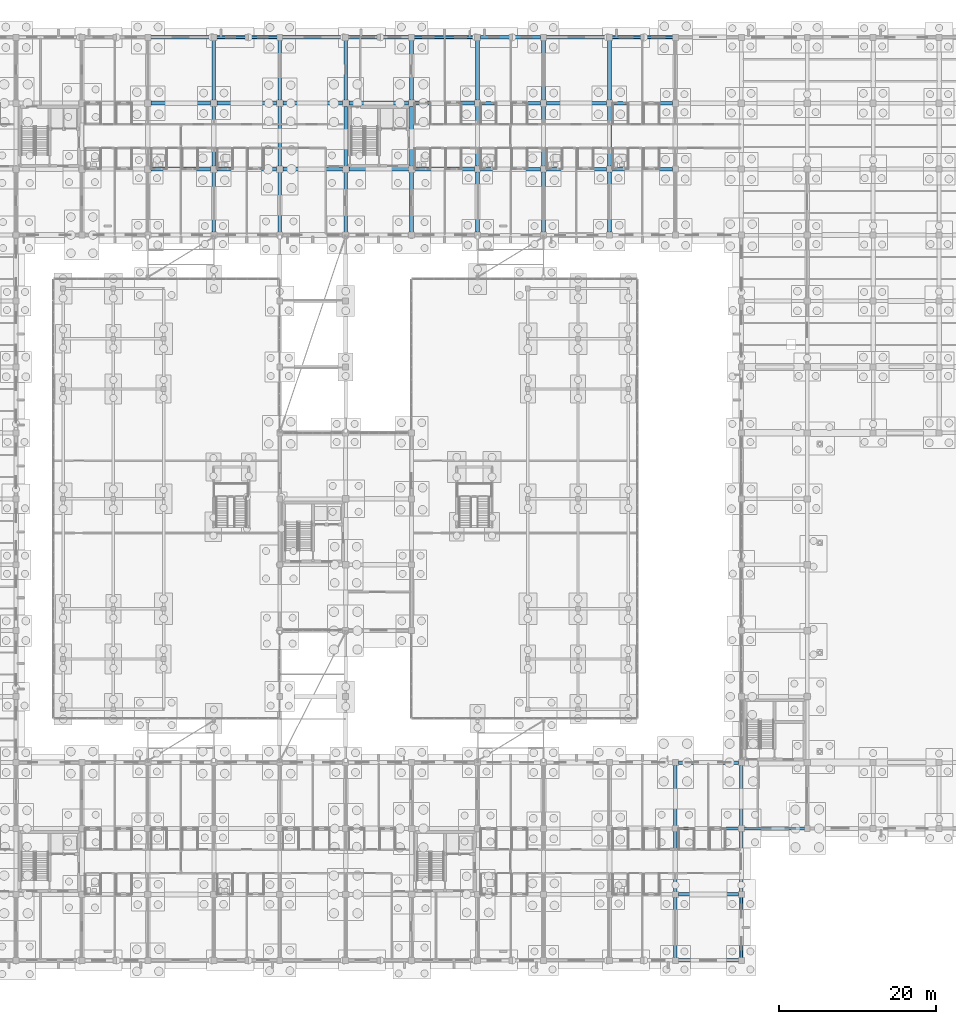
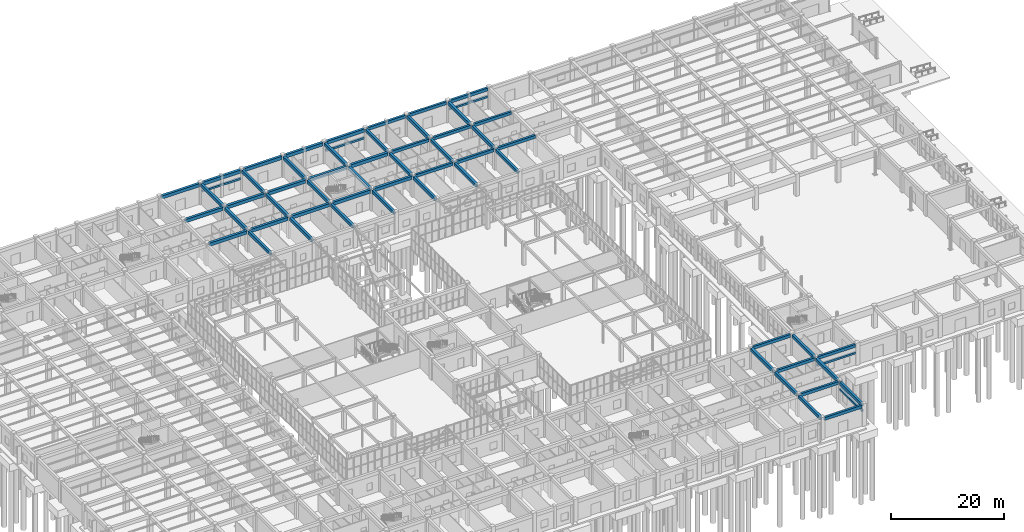
# One storey, part 121 of 192: 61 beams.
"""IFC4 building model written with IfcOpenShell, lengths in metres."""

from ifc_helpers import new_model, si_unit, direction, frame, origin, origin_2d, place, context, subcontext, project, spatial, rectangle, extrude, material, material_profile, profile_set, type_object, element, save


model = new_model("IFC4")

# Units and contexts
model_context = context("Model", 3, precision=1e-05, world=origin(), true_north=direction((0.0, 1.0)))
body_context = subcontext(model_context, "Body", "Model", "MODEL_VIEW")
ifc_project = project(units=[si_unit("LENGTHUNIT", "METRE"), si_unit("AREAUNIT", "SQUARE_METRE"), si_unit("VOLUMEUNIT", "CUBIC_METRE"), si_unit("PLANEANGLEUNIT", "RADIAN"), si_unit("MASSUNIT", "GRAM", prefix="KILO")], contexts=[model_context])

# Site, building, storey
site_placement = place(None, origin())
site = spatial("IfcSite", under=ifc_project, at=site_placement, CompositionType="ELEMENT")
building_placement = place(site_placement, origin())
building = spatial("IfcBuilding", under=site, at=building_placement, Name="Trelvath General Hospital", CompositionType="ELEMENT")
storey_placement = place(building_placement, origin())
storey = spatial("IfcBuildingStorey", under=building, at=storey_placement, Name="L00", CompositionType="ELEMENT", Elevation=0.0)

# Beams
ifc_material_1 = material(Name="Concrete C35/45", Category="concrete")
ifc_material_profile_1 = material_profile(ifc_material_1, rectangle(XDim=0.43994140625, YDim=0.639892578125, at=origin_2d()), Name="RCB440x640")
ifc_profile_set_1 = profile_set([ifc_material_profile_1], Name="Concrete C35/45")
beam_type_1 = type_object("IfcBeamType", Name="Beam RC440x640", PredefinedType="BEAM", material=ifc_profile_set_1)
for number, where, z_axis, x_axis, name in (
    (1, (101.18505859375, 100.800048828125, 4.199951171875), (1.0, 0.0, 0.0), (0.0, 1.0, 0.0), "Grid Beam BX-012M"),
    (2, (101.18505859375, 109.199951171875, 4.199951171875), (1.0, 0.0, 0.0), (0.0, 1.0, 0.0), "Grid Beam BX-012N"),
):
    element("IfcBeam", number, at=place(storey_placement, frame(where, z_axis=z_axis, x_axis=x_axis)), inside=storey, type_object=beam_type_1, Name=name, PredefinedType="BEAM", context=body_context, shape_type="SweptSolid", body=[
        extrude(rectangle(XDim=0.43994140625, YDim=0.639892578125, at=origin_2d()), origin(), (0.0, 0.0, 1.0), 7.6298828125),
    ])
beam_1_placement = place(storey_placement, frame((101.175048828125, 117.60009765625, 4.199951171875), z_axis=(1.0, 0.0, 0.0), x_axis=(0.0, 1.0, 0.0)))
element("IfcBeam", 3, at=beam_1_placement, inside=storey, type_object=beam_type_1, Name="Grid Beam BX-012O", PredefinedType="BEAM", context=body_context, shape_type="SweptSolid", body=[
    extrude(rectangle(XDim=0.43994140625, YDim=0.639892578125, at=origin_2d()), origin(), (0.0, 0.0, 1.0), 7.64990234375),
])
for number, where, z_axis, x_axis, name in (
    (4, (109.5849609375, 100.800048828125, 4.199951171875), (1.0, 0.0, 0.0), (0.0, 1.0, 0.0), "Grid Beam BX-013M"),
    (5, (109.5849609375, 109.199951171875, 4.199951171875), (1.0, 0.0, 0.0), (0.0, 1.0, 0.0), "Grid Beam BX-013N"),
):
    element("IfcBeam", number, at=place(storey_placement, frame(where, z_axis=z_axis, x_axis=x_axis)), inside=storey, type_object=beam_type_1, Name=name, PredefinedType="BEAM", context=body_context, shape_type="SweptSolid", body=[
        extrude(rectangle(XDim=0.43994140625, YDim=0.639892578125, at=origin_2d()), origin(), (0.0, 0.0, 1.0), 7.630126953125),
    ])
beam_2_placement = place(storey_placement, frame((109.574951171875, 117.60009765625, 4.199951171875), z_axis=(1.0, 0.0, 0.0), x_axis=(0.0, 1.0, 0.0)))
element("IfcBeam", 6, at=beam_2_placement, inside=storey, type_object=beam_type_1, Name="Grid Beam BX-013O", PredefinedType="BEAM", context=body_context, shape_type="SweptSolid", body=[
    extrude(rectangle(XDim=0.43994140625, YDim=0.639892578125, at=origin_2d()), origin(), (0.0, 0.0, 1.0), 7.650146484375),
])
for number, where, z_axis, x_axis, name in (
    (7, (117.985107421875, 100.800048828125, 4.199951171875), (1.0, 0.0, 0.0), (0.0, 1.0, 0.0), "Grid Beam BX-014M"),
    (8, (117.985107421875, 109.199951171875, 4.199951171875), (1.0, 0.0, 0.0), (0.0, 1.0, 0.0), "Grid Beam BX-014N"),
):
    element("IfcBeam", number, at=place(storey_placement, frame(where, z_axis=z_axis, x_axis=x_axis)), inside=storey, type_object=beam_type_1, Name=name, PredefinedType="BEAM", context=body_context, shape_type="SweptSolid", body=[
        extrude(rectangle(XDim=0.43994140625, YDim=0.639892578125, at=origin_2d()), origin(), (0.0, 0.0, 1.0), 7.6298828125),
    ])
for number, where, z_axis, x_axis, name in (
    (9, (117.97509765625, 117.60009765625, 4.199951171875), (1.0, 0.0, 0.0), (0.0, 1.0, 0.0), "Grid Beam BX-014O"),
    (10, (126.375, 0.0, 4.199951171875), (1.0, 0.0, 0.0), (0.0, 1.0, 0.0), "Grid Beam BX-015A"),
):
    element("IfcBeam", number, at=place(storey_placement, frame(where, z_axis=z_axis, x_axis=x_axis)), inside=storey, type_object=beam_type_1, Name=name, PredefinedType="BEAM", context=body_context, shape_type="SweptSolid", body=[
        extrude(rectangle(XDim=0.43994140625, YDim=0.639892578125, at=origin_2d()), origin(), (0.0, 0.0, 1.0), 7.64990234375),
    ])
for number, where, z_axis, x_axis, name in (
    (11, (126.385009765625, 8.39990234375, 4.199951171875), (1.0, 0.0, 0.0), (0.0, 1.0, 0.0), "Grid Beam BX-015B"),
    (12, (126.385009765625, 16.800048828125, 4.199951171875), (1.0, 0.0, 0.0), (0.0, 1.0, 0.0), "Grid Beam BX-015C"),
):
    element("IfcBeam", number, at=place(storey_placement, frame(where, z_axis=z_axis, x_axis=x_axis)), inside=storey, type_object=beam_type_1, Name=name, PredefinedType="BEAM", context=body_context, shape_type="SweptSolid", body=[
        extrude(rectangle(XDim=0.43994140625, YDim=0.639892578125, at=origin_2d()), origin(), (0.0, 0.0, 1.0), 7.639892578125),
    ])
beam_3_placement = place(storey_placement, frame((126.375, 25.199951171875, 4.199951171875), z_axis=(1.0, 0.0, 0.0), x_axis=(0.0, 1.0, 0.0)))
element("IfcBeam", 13, at=beam_3_placement, inside=storey, type_object=beam_type_1, Name="Grid Beam BX-015D", PredefinedType="BEAM", context=body_context, shape_type="SweptSolid", body=[
    extrude(rectangle(XDim=0.43994140625, YDim=0.639892578125, at=origin_2d()), origin(), (0.0, 0.0, 1.0), 7.64990234375),
])
beam_4_placement = place(storey_placement, frame((134.77490234375, 16.800048828125, 4.199951171875), z_axis=(1.0, 0.0, 0.0), x_axis=(0.0, 1.0, 0.0)))
element("IfcBeam", 14, at=beam_4_placement, inside=storey, type_object=beam_type_1, Name="Grid Beam BX-016C", PredefinedType="BEAM", context=body_context, shape_type="SweptSolid", body=[
    extrude(rectangle(XDim=0.43994140625, YDim=0.639892578125, at=origin_2d()), origin(), (0.0, 0.0, 1.0), 7.650146484375),
])
ifc_material_2 = material(Name="Concrete C35/45", Category="concrete")
ifc_material_profile_2 = material_profile(ifc_material_2, rectangle(XDim=0.47998046875, YDim=0.679931640625, at=origin_2d()), Name="RCB480x680")
ifc_profile_set_2 = profile_set([ifc_material_profile_2], Name="Concrete C35/45")
beam_type_2 = type_object("IfcBeamType", Name="Beam RC480x680", PredefinedType="BEAM", material=ifc_profile_set_2)
beam_5_placement = place(storey_placement, frame((67.199951171875, 92.77490234375, 4.179931640625), z_axis=(0.0, 1.0, 0.0), x_axis=(-1.0, 0.0, 0.0)))
element("IfcBeam", 15, at=beam_5_placement, inside=storey, type_object=beam_type_2, Name="Grid Beam BY-008L", PredefinedType="BEAM", context=body_context, shape_type="SweptSolid", body=[
    extrude(rectangle(XDim=0.47998046875, YDim=0.679931640625, at=origin_2d()), origin(), (0.0, 0.0, 1.0), 7.630126953125),
])
beam_6_placement = place(storey_placement, frame((67.199951171875, 101.195068359375, 4.179931640625), z_axis=(0.0, 1.0, 0.0), x_axis=(-1.0, 0.0, 0.0)))
element("IfcBeam", 16, at=beam_6_placement, inside=storey, type_object=beam_type_2, Name="Grid Beam BY-008M", PredefinedType="BEAM", context=body_context, shape_type="SweptSolid", body=[
    extrude(rectangle(XDim=0.47998046875, YDim=0.679931640625, at=origin_2d()), origin(), (0.0, 0.0, 1.0), 7.60986328125),
])
for number, where, z_axis, x_axis, name in (
    (17, (67.199951171875, 109.594970703125, 4.179931640625), (0.0, 1.0, 0.0), (-1.0, 0.0, 0.0), "Grid Beam BY-008N"),
    (18, (75.60009765625, 92.77490234375, 4.179931640625), (0.0, 1.0, 0.0), (-1.0, 0.0, 0.0), "Grid Beam BY-009L"),
):
    element("IfcBeam", number, at=place(storey_placement, frame(where, z_axis=z_axis, x_axis=x_axis)), inside=storey, type_object=beam_type_2, Name=name, PredefinedType="BEAM", context=body_context, shape_type="SweptSolid", body=[
        extrude(rectangle(XDim=0.47998046875, YDim=0.679931640625, at=origin_2d()), origin(), (0.0, 0.0, 1.0), 7.630126953125),
    ])
beam_7_placement = place(storey_placement, frame((75.60009765625, 101.195068359375, 4.179931640625), z_axis=(0.0, 1.0, 0.0), x_axis=(-1.0, 0.0, 0.0)))
element("IfcBeam", 19, at=beam_7_placement, inside=storey, type_object=beam_type_2, Name="Grid Beam BY-009M", PredefinedType="BEAM", context=body_context, shape_type="SweptSolid", body=[
    extrude(rectangle(XDim=0.47998046875, YDim=0.679931640625, at=origin_2d()), origin(), (0.0, 0.0, 1.0), 7.60986328125),
])
for number, where, z_axis, x_axis, name in (
    (20, (75.60009765625, 109.594970703125, 4.179931640625), (0.0, 1.0, 0.0), (-1.0, 0.0, 0.0), "Grid Beam BY-009N"),
    (21, (84.0, 92.77490234375, 4.179931640625), (0.0, 1.0, 0.0), (-1.0, 0.0, 0.0), "Grid Beam BY-010L"),
):
    element("IfcBeam", number, at=place(storey_placement, frame(where, z_axis=z_axis, x_axis=x_axis)), inside=storey, type_object=beam_type_2, Name=name, PredefinedType="BEAM", context=body_context, shape_type="SweptSolid", body=[
        extrude(rectangle(XDim=0.47998046875, YDim=0.679931640625, at=origin_2d()), origin(), (0.0, 0.0, 1.0), 7.630126953125),
    ])
beam_8_placement = place(storey_placement, frame((84.0, 101.195068359375, 4.179931640625), z_axis=(0.0, 1.0, 0.0), x_axis=(-1.0, 0.0, 0.0)))
element("IfcBeam", 22, at=beam_8_placement, inside=storey, type_object=beam_type_2, Name="Grid Beam BY-010M", PredefinedType="BEAM", context=body_context, shape_type="SweptSolid", body=[
    extrude(rectangle(XDim=0.47998046875, YDim=0.679931640625, at=origin_2d()), origin(), (0.0, 0.0, 1.0), 7.60986328125),
])
for number, where, z_axis, x_axis, name in (
    (23, (84.0, 109.594970703125, 4.179931640625), (0.0, 1.0, 0.0), (-1.0, 0.0, 0.0), "Grid Beam BY-010N"),
    (24, (92.39990234375, 92.77490234375, 4.179931640625), (0.0, 1.0, 0.0), (-1.0, 0.0, 0.0), "Grid Beam BY-011L"),
):
    element("IfcBeam", number, at=place(storey_placement, frame(where, z_axis=z_axis, x_axis=x_axis)), inside=storey, type_object=beam_type_2, Name=name, PredefinedType="BEAM", context=body_context, shape_type="SweptSolid", body=[
        extrude(rectangle(XDim=0.47998046875, YDim=0.679931640625, at=origin_2d()), origin(), (0.0, 0.0, 1.0), 7.630126953125),
    ])
beam_9_placement = place(storey_placement, frame((92.39990234375, 101.195068359375, 4.179931640625), z_axis=(0.0, 1.0, 0.0), x_axis=(-1.0, 0.0, 0.0)))
element("IfcBeam", 25, at=beam_9_placement, inside=storey, type_object=beam_type_2, Name="Grid Beam BY-011M", PredefinedType="BEAM", context=body_context, shape_type="SweptSolid", body=[
    extrude(rectangle(XDim=0.47998046875, YDim=0.679931640625, at=origin_2d()), origin(), (0.0, 0.0, 1.0), 7.60986328125),
])
beam_10_placement = place(storey_placement, frame((92.39990234375, 109.594970703125, 4.179931640625), z_axis=(0.0, 1.0, 0.0), x_axis=(-1.0, 0.0, 0.0)))
element("IfcBeam", 26, at=beam_10_placement, inside=storey, type_object=beam_type_2, Name="Grid Beam BY-011N", PredefinedType="BEAM", context=body_context, shape_type="SweptSolid", body=[
    extrude(rectangle(XDim=0.47998046875, YDim=0.679931640625, at=origin_2d()), origin(), (0.0, 0.0, 1.0), 7.630126953125),
])
beam_11_placement = place(storey_placement, frame((100.800048828125, 92.77490234375, 4.179931640625), z_axis=(0.0, 1.0, 0.0), x_axis=(-1.0, 0.0, 0.0)))
element("IfcBeam", 27, at=beam_11_placement, inside=storey, type_object=beam_type_2, Name="Grid Beam BY-012L", PredefinedType="BEAM", context=body_context, shape_type="SweptSolid", body=[
    extrude(rectangle(XDim=0.47998046875, YDim=0.679931640625, at=origin_2d()), origin(), (0.0, 0.0, 1.0), 7.64013671875),
])
beam_12_placement = place(storey_placement, frame((100.800048828125, 101.18505859375, 4.179931640625), z_axis=(0.0, 1.0, 0.0), x_axis=(-1.0, 0.0, 0.0)))
element("IfcBeam", 28, at=beam_12_placement, inside=storey, type_object=beam_type_2, Name="Grid Beam BY-012M", PredefinedType="BEAM", context=body_context, shape_type="SweptSolid", body=[
    extrude(rectangle(XDim=0.47998046875, YDim=0.679931640625, at=origin_2d()), origin(), (0.0, 0.0, 1.0), 7.6298828125),
])
for number, where, z_axis, x_axis, name in (
    (29, (100.800048828125, 109.5849609375, 4.179931640625), (0.0, 1.0, 0.0), (-1.0, 0.0, 0.0), "Grid Beam BY-012N"),
    (30, (109.199951171875, 92.77490234375, 4.179931640625), (0.0, 1.0, 0.0), (-1.0, 0.0, 0.0), "Grid Beam BY-013L"),
):
    element("IfcBeam", number, at=place(storey_placement, frame(where, z_axis=z_axis, x_axis=x_axis)), inside=storey, type_object=beam_type_2, Name=name, PredefinedType="BEAM", context=body_context, shape_type="SweptSolid", body=[
        extrude(rectangle(XDim=0.47998046875, YDim=0.679931640625, at=origin_2d()), origin(), (0.0, 0.0, 1.0), 7.64013671875),
    ])
beam_13_placement = place(storey_placement, frame((109.199951171875, 101.18505859375, 4.179931640625), z_axis=(0.0, 1.0, 0.0), x_axis=(-1.0, 0.0, 0.0)))
element("IfcBeam", 31, at=beam_13_placement, inside=storey, type_object=beam_type_2, Name="Grid Beam BY-013M", PredefinedType="BEAM", context=body_context, shape_type="SweptSolid", body=[
    extrude(rectangle(XDim=0.47998046875, YDim=0.679931640625, at=origin_2d()), origin(), (0.0, 0.0, 1.0), 7.6298828125),
])
for number, where, z_axis, x_axis, name in (
    (32, (109.199951171875, 109.5849609375, 4.179931640625), (0.0, 1.0, 0.0), (-1.0, 0.0, 0.0), "Grid Beam BY-013N"),
    (33, (117.60009765625, 92.77490234375, 4.179931640625), (0.0, 1.0, 0.0), (-1.0, 0.0, 0.0), "Grid Beam BY-014L"),
):
    element("IfcBeam", number, at=place(storey_placement, frame(where, z_axis=z_axis, x_axis=x_axis)), inside=storey, type_object=beam_type_2, Name=name, PredefinedType="BEAM", context=body_context, shape_type="SweptSolid", body=[
        extrude(rectangle(XDim=0.47998046875, YDim=0.679931640625, at=origin_2d()), origin(), (0.0, 0.0, 1.0), 7.64013671875),
    ])
beam_14_placement = place(storey_placement, frame((117.60009765625, 101.18505859375, 4.179931640625), z_axis=(0.0, 1.0, 0.0), x_axis=(-1.0, 0.0, 0.0)))
element("IfcBeam", 34, at=beam_14_placement, inside=storey, type_object=beam_type_2, Name="Grid Beam BY-014M", PredefinedType="BEAM", context=body_context, shape_type="SweptSolid", body=[
    extrude(rectangle(XDim=0.47998046875, YDim=0.679931640625, at=origin_2d()), origin(), (0.0, 0.0, 1.0), 7.6298828125),
])
beam_15_placement = place(storey_placement, frame((117.60009765625, 109.5849609375, 4.179931640625), z_axis=(0.0, 1.0, 0.0), x_axis=(-1.0, 0.0, 0.0)))
element("IfcBeam", 35, at=beam_15_placement, inside=storey, type_object=beam_type_2, Name="Grid Beam BY-014N", PredefinedType="BEAM", context=body_context, shape_type="SweptSolid", body=[
    extrude(rectangle(XDim=0.47998046875, YDim=0.679931640625, at=origin_2d()), origin(), (0.0, 0.0, 1.0), 7.64013671875),
])
beam_16_placement = place(storey_placement, frame((126.0, 0.375, 4.179931640625), z_axis=(0.0, 1.0, 0.0), x_axis=(-1.0, 0.0, 0.0)))
element("IfcBeam", 36, at=beam_16_placement, inside=storey, type_object=beam_type_2, Name="Grid Beam BY-015A", PredefinedType="BEAM", context=body_context, shape_type="SweptSolid", body=[
    extrude(rectangle(XDim=0.47998046875, YDim=0.679931640625, at=origin_2d()), origin(), (0.0, 0.0, 1.0), 7.639892578125),
])
beam_17_placement = place(storey_placement, frame((126.0, 8.784912109375, 4.179931640625), z_axis=(0.0, 1.0, 0.0), x_axis=(-1.0, 0.0, 0.0)))
element("IfcBeam", 37, at=beam_17_placement, inside=storey, type_object=beam_type_2, Name="Grid Beam BY-015B", PredefinedType="BEAM", context=body_context, shape_type="SweptSolid", body=[
    extrude(rectangle(XDim=0.47998046875, YDim=0.679931640625, at=origin_2d()), origin(), (0.0, 0.0, 1.0), 7.630126953125),
])
beam_18_placement = place(storey_placement, frame((126.0, 17.18505859375, 4.179931640625), z_axis=(0.0, 1.0, 0.0), x_axis=(-1.0, 0.0, 0.0)))
element("IfcBeam", 38, at=beam_18_placement, inside=storey, type_object=beam_type_2, Name="Grid Beam BY-015C", PredefinedType="BEAM", context=body_context, shape_type="SweptSolid", body=[
    extrude(rectangle(XDim=0.47998046875, YDim=0.679931640625, at=origin_2d()), origin(), (0.0, 0.0, 1.0), 7.639892578125),
])
beam_19_placement = place(storey_placement, frame((134.39990234375, 0.375, 4.179931640625), z_axis=(0.0, 1.0, 0.0), x_axis=(-1.0, 0.0, 0.0)))
element("IfcBeam", 39, at=beam_19_placement, inside=storey, type_object=beam_type_2, Name="Grid Beam BY-016A", PredefinedType="BEAM", context=body_context, shape_type="SweptSolid", body=[
    extrude(rectangle(XDim=0.47998046875, YDim=0.679931640625, at=origin_2d()), origin(), (0.0, 0.0, 1.0), 7.64990234375),
])
beam_20_placement = place(storey_placement, frame((134.39990234375, 8.77490234375, 4.179931640625), z_axis=(0.0, 1.0, 0.0), x_axis=(-1.0, 0.0, 0.0)))
element("IfcBeam", 40, at=beam_20_placement, inside=storey, type_object=beam_type_2, Name="Grid Beam BY-016B", PredefinedType="BEAM", context=body_context, shape_type="SweptSolid", body=[
    extrude(rectangle(XDim=0.47998046875, YDim=0.679931640625, at=origin_2d()), origin(), (0.0, 0.0, 1.0), 7.650146484375),
])
beam_21_placement = place(storey_placement, frame((134.39990234375, 17.175048828125, 4.179931640625), z_axis=(0.0, 1.0, 0.0), x_axis=(-1.0, 0.0, 0.0)))
element("IfcBeam", 41, at=beam_21_placement, inside=storey, type_object=beam_type_2, Name="Grid Beam BY-016C", PredefinedType="BEAM", context=body_context, shape_type="SweptSolid", body=[
    extrude(rectangle(XDim=0.47998046875, YDim=0.679931640625, at=origin_2d()), origin(), (0.0, 0.0, 1.0), 7.64990234375),
])
ifc_material_3 = material(Name="Concrete C35/45", Category="concrete")
ifc_material_profile_3 = material_profile(ifc_material_3, rectangle(XDim=0.5, YDim=0.699951171875, at=origin_2d()), Name="RCB500x700")
ifc_profile_set_3 = profile_set([ifc_material_profile_3], Name="Concrete C35/45")
beam_type_3 = type_object("IfcBeamType", Name="Beam RC500x700", PredefinedType="BEAM", material=ifc_profile_set_3)
for number, where, z_axis, x_axis, name in (
    (42, (59.195068359375, 100.800048828125, 4.169921875), (1.0, 0.0, 0.0), (0.0, 1.0, 0.0), "Grid Beam BX-007M"),
    (43, (59.195068359375, 109.199951171875, 4.169921875), (1.0, 0.0, 0.0), (0.0, 1.0, 0.0), "Grid Beam BX-007N"),
):
    element("IfcBeam", number, at=place(storey_placement, frame(where, z_axis=z_axis, x_axis=x_axis)), inside=storey, type_object=beam_type_3, Name=name, PredefinedType="BEAM", context=body_context, shape_type="SweptSolid", body=[
        extrude(rectangle(XDim=0.5, YDim=0.699951171875, at=origin_2d()), origin(), (0.0, 0.0, 1.0), 7.60986328125),
    ])
beam_22_placement = place(storey_placement, frame((59.175048828125, 117.60009765625, 4.169921875), z_axis=(1.0, 0.0, 0.0), x_axis=(0.0, 1.0, 0.0)))
element("IfcBeam", 44, at=beam_22_placement, inside=storey, type_object=beam_type_3, Name="Grid Beam BX-007O", PredefinedType="BEAM", context=body_context, shape_type="SweptSolid", body=[
    extrude(rectangle(XDim=0.5, YDim=0.699951171875, at=origin_2d()), origin(), (0.0, 0.0, 1.0), 7.64990234375),
])
for number, where, z_axis, x_axis, name in (
    (45, (67.594970703125, 100.800048828125, 4.169921875), (1.0, 0.0, 0.0), (0.0, 1.0, 0.0), "Grid Beam BX-008M"),
    (46, (67.594970703125, 109.199951171875, 4.169921875), (1.0, 0.0, 0.0), (0.0, 1.0, 0.0), "Grid Beam BX-008N"),
):
    element("IfcBeam", number, at=place(storey_placement, frame(where, z_axis=z_axis, x_axis=x_axis)), inside=storey, type_object=beam_type_3, Name=name, PredefinedType="BEAM", context=body_context, shape_type="SweptSolid", body=[
        extrude(rectangle(XDim=0.5, YDim=0.699951171875, at=origin_2d()), origin(), (0.0, 0.0, 1.0), 7.610107421875),
    ])
beam_23_placement = place(storey_placement, frame((67.574951171875, 117.60009765625, 4.169921875), z_axis=(1.0, 0.0, 0.0), x_axis=(0.0, 1.0, 0.0)))
element("IfcBeam", 47, at=beam_23_placement, inside=storey, type_object=beam_type_3, Name="Grid Beam BX-008O", PredefinedType="BEAM", context=body_context, shape_type="SweptSolid", body=[
    extrude(rectangle(XDim=0.5, YDim=0.699951171875, at=origin_2d()), origin(), (0.0, 0.0, 1.0), 7.650146484375),
])
for number, where, z_axis, x_axis, name in (
    (48, (75.9951171875, 100.800048828125, 4.169921875), (1.0, 0.0, 0.0), (0.0, 1.0, 0.0), "Grid Beam BX-009M"),
    (49, (75.9951171875, 109.199951171875, 4.169921875), (1.0, 0.0, 0.0), (0.0, 1.0, 0.0), "Grid Beam BX-009N"),
):
    element("IfcBeam", number, at=place(storey_placement, frame(where, z_axis=z_axis, x_axis=x_axis)), inside=storey, type_object=beam_type_3, Name=name, PredefinedType="BEAM", context=body_context, shape_type="SweptSolid", body=[
        extrude(rectangle(XDim=0.5, YDim=0.699951171875, at=origin_2d()), origin(), (0.0, 0.0, 1.0), 7.60986328125),
    ])
beam_24_placement = place(storey_placement, frame((75.97509765625, 117.60009765625, 4.169921875), z_axis=(1.0, 0.0, 0.0), x_axis=(0.0, 1.0, 0.0)))
element("IfcBeam", 50, at=beam_24_placement, inside=storey, type_object=beam_type_3, Name="Grid Beam BX-009O", PredefinedType="BEAM", context=body_context, shape_type="SweptSolid", body=[
    extrude(rectangle(XDim=0.5, YDim=0.699951171875, at=origin_2d()), origin(), (0.0, 0.0, 1.0), 7.64990234375),
])
for number, where, z_axis, x_axis, name in (
    (51, (84.39501953125, 100.800048828125, 4.169921875), (1.0, 0.0, 0.0), (0.0, 1.0, 0.0), "Grid Beam BX-010M"),
    (52, (84.39501953125, 109.199951171875, 4.169921875), (1.0, 0.0, 0.0), (0.0, 1.0, 0.0), "Grid Beam BX-010N"),
):
    element("IfcBeam", number, at=place(storey_placement, frame(where, z_axis=z_axis, x_axis=x_axis)), inside=storey, type_object=beam_type_3, Name=name, PredefinedType="BEAM", context=body_context, shape_type="SweptSolid", body=[
        extrude(rectangle(XDim=0.5, YDim=0.699951171875, at=origin_2d()), origin(), (0.0, 0.0, 1.0), 7.60986328125),
    ])
beam_25_placement = place(storey_placement, frame((84.375, 117.60009765625, 4.169921875), z_axis=(1.0, 0.0, 0.0), x_axis=(0.0, 1.0, 0.0)))
element("IfcBeam", 53, at=beam_25_placement, inside=storey, type_object=beam_type_3, Name="Grid Beam BX-010O", PredefinedType="BEAM", context=body_context, shape_type="SweptSolid", body=[
    extrude(rectangle(XDim=0.5, YDim=0.699951171875, at=origin_2d()), origin(), (0.0, 0.0, 1.0), 7.64990234375),
])
for number, where, z_axis, x_axis, name in (
    (54, (92.794921875, 100.800048828125, 4.169921875), (1.0, 0.0, 0.0), (0.0, 1.0, 0.0), "Grid Beam BX-011M"),
    (55, (92.794921875, 109.199951171875, 4.169921875), (1.0, 0.0, 0.0), (0.0, 1.0, 0.0), "Grid Beam BX-011N"),
):
    element("IfcBeam", number, at=place(storey_placement, frame(where, z_axis=z_axis, x_axis=x_axis)), inside=storey, type_object=beam_type_3, Name=name, PredefinedType="BEAM", context=body_context, shape_type="SweptSolid", body=[
        extrude(rectangle(XDim=0.5, YDim=0.699951171875, at=origin_2d()), origin(), (0.0, 0.0, 1.0), 7.6201171875),
    ])
beam_26_placement = place(storey_placement, frame((92.77490234375, 117.60009765625, 4.169921875), z_axis=(1.0, 0.0, 0.0), x_axis=(0.0, 1.0, 0.0)))
element("IfcBeam", 56, at=beam_26_placement, inside=storey, type_object=beam_type_3, Name="Grid Beam BX-011O", PredefinedType="BEAM", context=body_context, shape_type="SweptSolid", body=[
    extrude(rectangle(XDim=0.5, YDim=0.699951171875, at=origin_2d()), origin(), (0.0, 0.0, 1.0), 7.650146484375),
])
ifc_material_4 = material(Name="Precast concrete C40/50", Category="concrete")
ifc_material_profile_4 = material_profile(ifc_material_4, rectangle(XDim=0.35009765625, YDim=0.419921875, at=origin_2d()), Name="PCL350x420")
ifc_profile_set_4 = profile_set([ifc_material_profile_4], Name="Precast concrete C40/50")
beam_type_4 = type_object("IfcBeamType", Name="Lintel PC350x420", PredefinedType="LINTEL", material=ifc_profile_set_4)
for number, where, z_axis, x_axis, name in (
    (57, (67.4951171875, 117.60009765625, 2.550048828125), (1.0, 0.0, 0.0), (0.0, 1.0, 0.0), "Precast Window Brow Lintel L00-48"),
    (58, (92.695068359375, 117.60009765625, 2.489990234375), (1.0, 0.0, 0.0), (0.0, 1.0, 0.0), "Precast Window Brow Lintel L00-67"),
):
    element("IfcBeam", number, at=place(storey_placement, frame(where, z_axis=z_axis, x_axis=x_axis)), inside=storey, type_object=beam_type_4, Name=name, PredefinedType="LINTEL", context=body_context, shape_type="SweptSolid", body=[
        extrude(rectangle(XDim=0.35009765625, YDim=0.419921875, at=origin_2d()), origin(), (0.0, 0.0, 1.0), 7.809814453125),
    ])
for number, where, z_axis, x_axis, name in (
    (59, (117.89501953125, 117.60009765625, 2.590087890625), (1.0, 0.0, 0.0), (0.0, 1.0, 0.0), "Precast Window Brow Lintel L00-79"),
    (60, (134.39990234375, 8.10498046875, 2.8701171875), (0.0, -1.0, 0.0), (1.0, 0.0, 0.0), "Precast Window Brow Lintel L00-81"),
):
    element("IfcBeam", number, at=place(storey_placement, frame(where, z_axis=z_axis, x_axis=x_axis)), inside=storey, type_object=beam_type_4, Name=name, PredefinedType="LINTEL", context=body_context, shape_type="SweptSolid", body=[
        extrude(rectangle(XDim=0.35009765625, YDim=0.419921875, at=origin_2d()), origin(), (0.0, 0.0, 1.0), 7.81005859375),
    ])
beam_27_placement = place(storey_placement, frame((142.5048828125, 16.800048828125, 2.590087890625), z_axis=(-1.0, 0.0, 0.0), x_axis=(0.0, -1.0, 0.0)))
element("IfcBeam", 61, at=beam_27_placement, inside=storey, type_object=beam_type_4, Name="Precast Window Brow Lintel L00-86", PredefinedType="LINTEL", context=body_context, shape_type="SweptSolid", body=[
    extrude(rectangle(XDim=0.35009765625, YDim=0.419921875, at=origin_2d()), origin(), (0.0, 0.0, 1.0), 7.809814453125),
])

save(model, "model.ifc")
